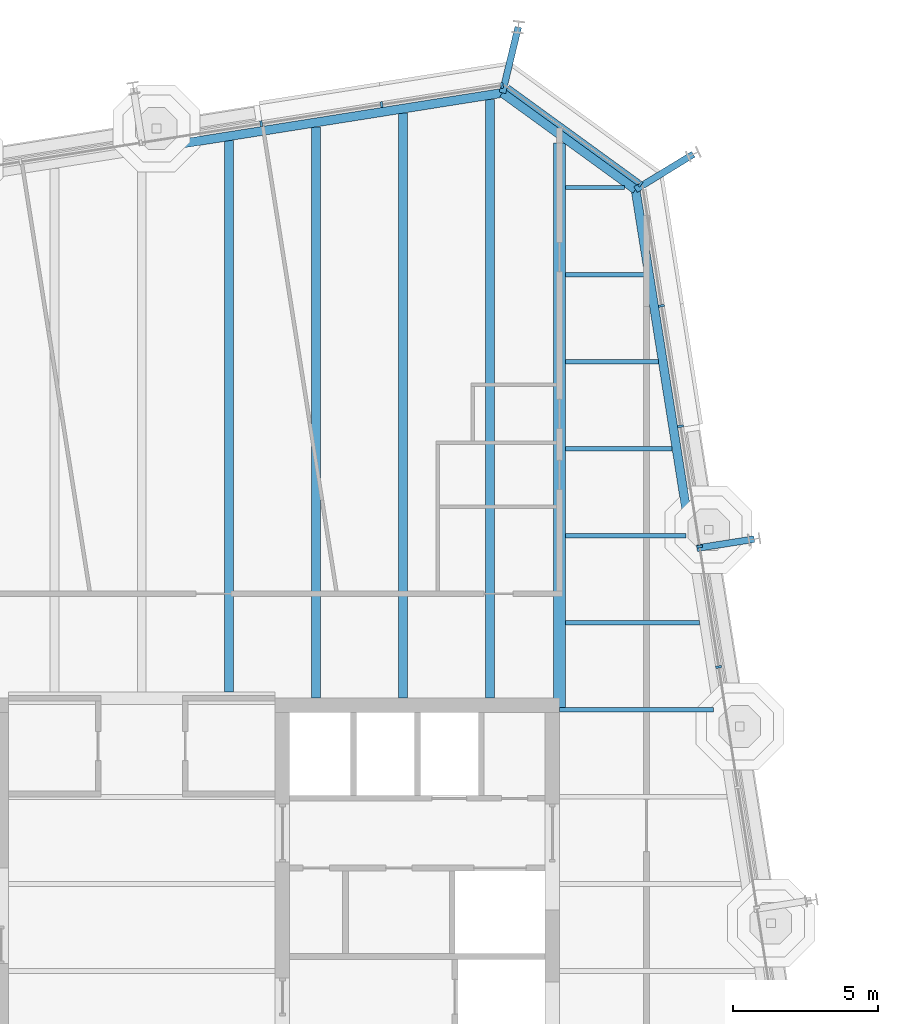
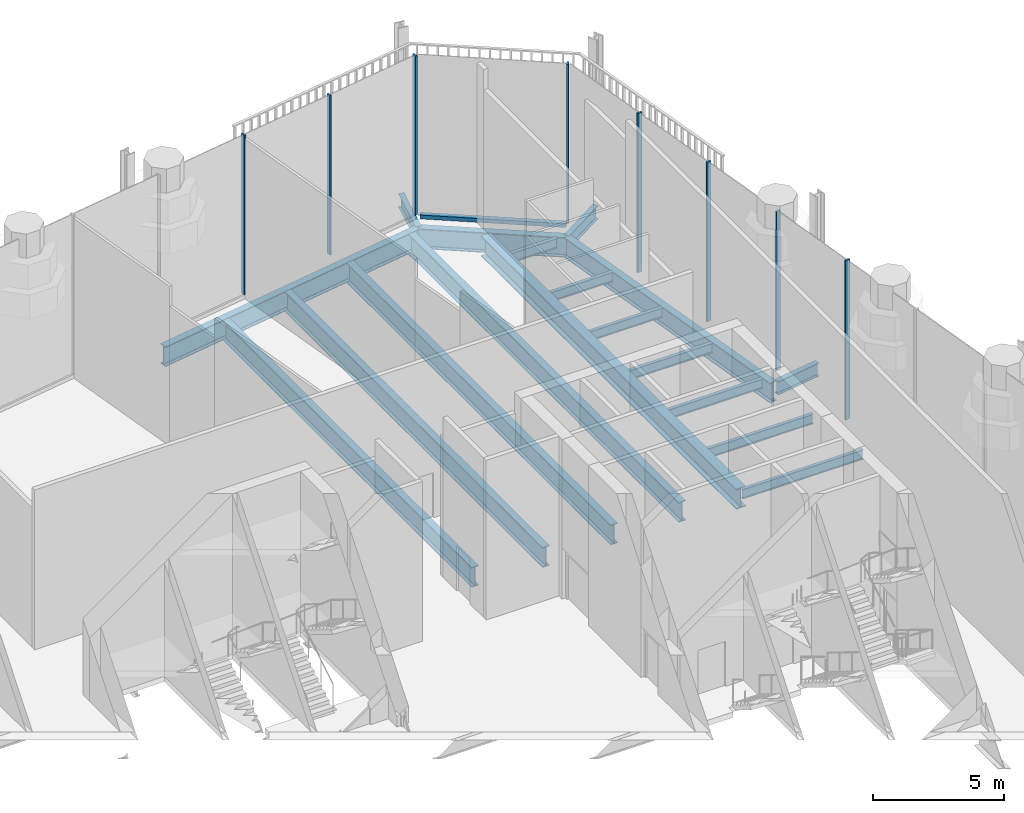
# One storey, part 9 of 17: 18 beams, 9 members, 3 elements without a shape of their own.
"""IFC4 building model written with IfcOpenShell, lengths in metres."""

from ifc_helpers import new_model, si_unit, direction, frame, origin, origin_2d, place, context, subcontext, project, spatial, rectangle, i_section, extrude, material, layer, layer_set, material_profile, profile_set, type_object, element, aggregate, save


model = new_model("IFC4")

# Units and contexts
model_context = context("Model", 3, precision=1e-05, world=origin(), true_north=direction((0.0, 1.0)))
body_context = subcontext(model_context, "Body", "Model", "MODEL_VIEW")
ifc_project = project(units=[si_unit("LENGTHUNIT", "METRE"), si_unit("AREAUNIT", "SQUARE_METRE"), si_unit("VOLUMEUNIT", "CUBIC_METRE"), si_unit("PLANEANGLEUNIT", "RADIAN"), si_unit("MASSUNIT", "GRAM", prefix="KILO")], contexts=[model_context])

# Site, building, storey
site_placement = place(None, origin())
site = spatial("IfcSite", under=ifc_project, at=site_placement, CompositionType="ELEMENT")
building_placement = place(site_placement, origin())
building = spatial("IfcBuilding", under=site, at=building_placement, Name="Millrace Tower", CompositionType="ELEMENT")
storey_placement = place(building_placement, frame((0.0, 0.0, 239.800048828125)))
storey = spatial("IfcBuildingStorey", under=building, at=storey_placement, Name="L55", CompositionType="ELEMENT", Elevation=239.800048828125)

# Curtain wall, members
ifc_material_1 = material(Name="Aluminium and glass", Category="aluminium")
ifc_layer = layer(ifc_material_1, 0.199951171875)
ifc_layer_set = layer_set([ifc_layer], Name="Aluminium and glass")
curtain_wall_type = type_object("IfcCurtainWallType", Name="CW-4 sky garden winter glazing", PredefinedType="NOTDEFINED", material=ifc_layer_set)
placement = place(storey_placement, origin())
curtain_wall_1 = element("IfcCurtainWall", 1, at=placement, inside=storey, type_object=curtain_wall_type, Name="Curtain wall D-F04 L55", PredefinedType="NOTDEFINED")
ifc_material_2 = material(Name="Aluminium", Category="aluminium")
ifc_material_profile_1 = material_profile(ifc_material_2, rectangle(XDim=0.080078125, YDim=0.199951171875, at=origin_2d()))
ifc_profile_set_1 = profile_set([ifc_material_profile_1], Name="Aluminium")
member_type_1 = type_object("IfcMemberType", Name="CW-4 sky garden winter glazing mullion", PredefinedType="MULLION", material=ifc_profile_set_1)
member_1_placement = place(storey_placement, frame((19.880859375, 10.477294921875, 0.179931640625), z_axis=(0.0, 0.0, 1.0), x_axis=(-0.156434471884, 0.987688339511, 0.0)))
member_1 = element("IfcMember", 2, at=member_1_placement, type_object=member_type_1, Name="CW4 mullion D-F04.6", PredefinedType="MULLION", context=body_context, shape_type="SweptSolid", body=[
    extrude(rectangle(XDim=0.080078125, YDim=0.199951171875, at=origin_2d()), origin(), (0.0, 0.0, 1.0), 7.419921875),
])
member_2_placement = place(storey_placement, frame((19.223876953125, 14.62548828125, 0.179931640625), z_axis=(0.0, 0.0, 1.0), x_axis=(-0.156434471884, 0.987688339511, 0.0)))
member_2 = element("IfcMember", 3, at=member_2_placement, type_object=member_type_1, Name="CW4 mullion D-F04.7", PredefinedType="MULLION", context=body_context, shape_type="SweptSolid", body=[
    extrude(rectangle(XDim=0.080078125, YDim=0.199951171875, at=origin_2d()), origin(), (0.0, 0.0, 1.0), 7.419921875),
])
member_3_placement = place(storey_placement, frame((18.56689453125, 18.77392578125, 0.179931640625), z_axis=(0.0, 0.0, 1.0), x_axis=(-0.156434471884, 0.987688339511, 0.0)))
member_3 = element("IfcMember", 4, at=member_3_placement, type_object=member_type_1, Name="CW4 mullion D-F04.8", PredefinedType="MULLION", context=body_context, shape_type="SweptSolid", body=[
    extrude(rectangle(XDim=0.080078125, YDim=0.199951171875, at=origin_2d()), origin(), (0.0, 0.0, 1.0), 7.419921875),
])
member_4_placement = place(storey_placement, frame((17.90966796875, 22.922119140625, 0.179931640625), z_axis=(0.0, 0.0, 1.0), x_axis=(-0.156434471884, 0.987688339511, 0.0)))
member_4 = element("IfcMember", 5, at=member_4_placement, type_object=member_type_1, Name="CW4 mullion D-F04.9", PredefinedType="MULLION", context=body_context, shape_type="SweptSolid", body=[
    extrude(rectangle(XDim=0.080078125, YDim=0.199951171875, at=origin_2d()), origin(), (0.0, 0.0, 1.0), 7.419921875),
])
aggregate(curtain_wall_1, [member_1, member_2, member_3, member_4])

# Curtain wall, member
curtain_wall_2 = element("IfcCurtainWall", 6, at=placement, inside=storey, type_object=curtain_wall_type, Name="Curtain wall D-F05 L55", PredefinedType="NOTDEFINED")
member_5_placement = place(storey_placement, frame((17.1865234375, 27.11962890625, 0.179931640625), z_axis=(0.0, 0.0, 1.0), x_axis=(-0.809016955361, 0.587785305991, 0.0)))
member_5 = element("IfcMember", 7, at=member_5_placement, type_object=member_type_1, Name="CW4 mullion D-F05.1", PredefinedType="MULLION", context=body_context, shape_type="SweptSolid", body=[
    extrude(rectangle(XDim=0.080078125, YDim=0.199951171875, at=origin_2d()), origin(), (0.0, 0.0, 1.0), 7.419921875),
])

# Curtain wall, members
curtain_wall_3 = element("IfcCurtainWall", 8, at=placement, inside=storey, type_object=curtain_wall_type, Name="Curtain wall D-F06 L55", PredefinedType="NOTDEFINED")
member_6_placement = place(storey_placement, frame((12.4140625, 30.515869140625, 0.179931640625), z_axis=(0.0, 0.0, 1.0), x_axis=(-0.987688339511, -0.156434471884, 0.0)))
member_6 = element("IfcMember", 9, at=member_6_placement, type_object=member_type_1, Name="CW4 mullion D-F06.1", PredefinedType="MULLION", context=body_context, shape_type="SweptSolid", body=[
    extrude(rectangle(XDim=0.080078125, YDim=0.199951171875, at=origin_2d()), origin(), (0.0, 0.0, 1.0), 7.419921875),
])
member_7_placement = place(storey_placement, frame((8.265869140625, 29.85888671875, 0.179931640625), z_axis=(0.0, 0.0, 1.0), x_axis=(-0.987688339511, -0.156434471884, 0.0)))
member_7 = element("IfcMember", 10, at=member_7_placement, type_object=member_type_1, Name="CW4 mullion D-F06.2", PredefinedType="MULLION", context=body_context, shape_type="SweptSolid", body=[
    extrude(rectangle(XDim=0.080078125, YDim=0.199951171875, at=origin_2d()), origin(), (0.0, 0.0, 1.0), 7.419921875),
])
member_8_placement = place(storey_placement, frame((4.11767578125, 29.201904296875, 0.179931640625), z_axis=(0.0, 0.0, 1.0), x_axis=(-0.987688339511, -0.156434471884, 0.0)))
member_8 = element("IfcMember", 11, at=member_8_placement, type_object=member_type_1, Name="CW4 mullion D-F06.3", PredefinedType="MULLION", context=body_context, shape_type="SweptSolid", body=[
    extrude(rectangle(XDim=0.080078125, YDim=0.199951171875, at=origin_2d()), origin(), (0.0, 0.0, 1.0), 7.419921875),
])
aggregate(curtain_wall_3, [member_6, member_7, member_8])

# Member
ifc_material_3 = material(Name="Aluminium", Category="aluminium")
ifc_material_profile_2 = material_profile(ifc_material_3, rectangle(XDim=0.199951171875, YDim=0.179931640625, at=origin_2d()))
ifc_profile_set_2 = profile_set([ifc_material_profile_2], Name="Aluminium")
member_type_2 = type_object("IfcMemberType", Name="CW-4 sky garden winter glazing transom", PredefinedType="USERDEFINED", material=ifc_profile_set_2)
member_9_placement = place(storey_placement, frame((17.13818359375, 27.155029296875, 0.08984375), z_axis=(-0.809033935994, 0.587761933448, 0.0), x_axis=(-0.587761933448, -0.809033935994, 0.0)))
member_9 = element("IfcMember", 12, at=member_9_placement, type_object=member_type_2, Name="CW4 transom D-F05.1", ObjectType="TRANSOM", PredefinedType="USERDEFINED", context=body_context, shape_type="SweptSolid", body=[
    extrude(rectangle(XDim=0.199951171875, YDim=0.179931640625, at=origin_2d()), origin(), (0.0, 0.0, 1.0), 5.598388671875),
])

aggregate(curtain_wall_2, [member_5, member_9])

# Beams
ifc_material_4 = material(Name="Steel ASTM A992 Grade 50", Category="steel")
ifc_material_profile_3 = material_profile(ifc_material_4, i_section(OverallWidth=0.15234375, OverallDepth=0.449462890625, WebThickness=0.007568359375, FlangeThickness=0.0107421875, FilletRadius=0.01025390625, at=origin_2d()))
ifc_profile_set_3 = profile_set([ifc_material_profile_3], Name="Steel ASTM A992 Grade 50")
beam_type_1 = type_object("IfcBeamType", Name="Floor beam W18x35", PredefinedType="JOIST", material=ifc_profile_set_3)
beam_1_placement = place(storey_placement, frame((14.39990234375, 9.0, -0.474853515625), z_axis=(1.0, 0.0, 0.0), x_axis=(0.0, 1.0, 0.0)))
element("IfcBeam", 13, at=beam_1_placement, inside=storey, type_object=beam_type_1, Name="BM-D-L55-S1-S024", PredefinedType="JOIST", context=body_context, shape_type="SweptSolid", body=[
    extrude(i_section(OverallWidth=0.15234375, OverallDepth=0.449462890625, WebThickness=0.007568359375, FlangeThickness=0.0107421875, FilletRadius=0.01025390625, at=origin_2d()), origin(), (0.0, 0.0, 1.0), 5.302490234375),
])
beam_2_placement = place(storey_placement, frame((14.609619140625, 12.0, -0.474853515625), z_axis=(1.0, 0.0, 0.0), x_axis=(0.0, 1.0, 0.0)))
element("IfcBeam", 14, at=beam_2_placement, inside=storey, type_object=beam_type_1, Name="BM-D-L55-S1-S026", PredefinedType="JOIST", context=body_context, shape_type="SweptSolid", body=[
    extrude(i_section(OverallWidth=0.15234375, OverallDepth=0.449462890625, WebThickness=0.007568359375, FlangeThickness=0.0107421875, FilletRadius=0.01025390625, at=origin_2d()), origin(), (0.0, 0.0, 1.0), 4.61767578125),
])
beam_3_placement = place(storey_placement, frame((14.609619140625, 15.0, -0.474853515625), z_axis=(1.0, 0.0, 0.0), x_axis=(0.0, 1.0, 0.0)))
element("IfcBeam", 15, at=beam_3_placement, inside=storey, type_object=beam_type_1, Name="BM-D-L55-S1-S028", PredefinedType="JOIST", context=body_context, shape_type="SweptSolid", body=[
    extrude(i_section(OverallWidth=0.15234375, OverallDepth=0.449462890625, WebThickness=0.007568359375, FlangeThickness=0.0107421875, FilletRadius=0.01025390625, at=origin_2d()), origin(), (0.0, 0.0, 1.0), 4.142578125),
])
beam_4_placement = place(storey_placement, frame((14.609619140625, 18.0, -0.474853515625), z_axis=(1.0, 0.0, 0.0), x_axis=(0.0, 1.0, 0.0)))
element("IfcBeam", 16, at=beam_4_placement, inside=storey, type_object=beam_type_1, Name="BM-D-L55-S1-S030", PredefinedType="JOIST", context=body_context, shape_type="SweptSolid", body=[
    extrude(i_section(OverallWidth=0.15234375, OverallDepth=0.449462890625, WebThickness=0.007568359375, FlangeThickness=0.0107421875, FilletRadius=0.01025390625, at=origin_2d()), origin(), (0.0, 0.0, 1.0), 3.667236328125),
])
beam_5_placement = place(storey_placement, frame((14.609619140625, 21.0, -0.474853515625), z_axis=(1.0, 0.0, 0.0), x_axis=(0.0, 1.0, 0.0)))
element("IfcBeam", 17, at=beam_5_placement, inside=storey, type_object=beam_type_1, Name="BM-D-L55-S1-S032", PredefinedType="JOIST", context=body_context, shape_type="SweptSolid", body=[
    extrude(i_section(OverallWidth=0.15234375, OverallDepth=0.449462890625, WebThickness=0.007568359375, FlangeThickness=0.0107421875, FilletRadius=0.01025390625, at=origin_2d()), origin(), (0.0, 0.0, 1.0), 3.192138671875),
])
beam_6_placement = place(storey_placement, frame((14.609619140625, 24.0, -0.474853515625), z_axis=(1.0, 0.0, 0.0), x_axis=(0.0, 1.0, 0.0)))
element("IfcBeam", 18, at=beam_6_placement, inside=storey, type_object=beam_type_1, Name="BM-D-L55-S1-S034", PredefinedType="JOIST", context=body_context, shape_type="SweptSolid", body=[
    extrude(i_section(OverallWidth=0.15234375, OverallDepth=0.449462890625, WebThickness=0.007568359375, FlangeThickness=0.0107421875, FilletRadius=0.01025390625, at=origin_2d()), origin(), (0.0, 0.0, 1.0), 2.717041015625),
])
beam_7_placement = place(storey_placement, frame((14.609619140625, 27.0, -0.474853515625), z_axis=(1.0, 0.0, 0.0), x_axis=(0.0, 1.0, 0.0)))
element("IfcBeam", 19, at=beam_7_placement, inside=storey, type_object=beam_type_1, Name="BM-D-L55-S1-S035", PredefinedType="JOIST", context=body_context, shape_type="SweptSolid", body=[
    extrude(i_section(OverallWidth=0.15234375, OverallDepth=0.449462890625, WebThickness=0.007568359375, FlangeThickness=0.0107421875, FilletRadius=0.01025390625, at=origin_2d()), origin(), (0.0, 0.0, 1.0), 2.020751953125),
])
ifc_material_5 = material(Name="Steel ASTM A992 Grade 50", Category="steel")
ifc_material_profile_4 = material_profile(ifc_material_5, i_section(OverallWidth=0.307373046875, OverallDepth=0.927001953125, WebThickness=0.01953125, FlangeThickness=0.031982421875, FilletRadius=0.01904296875, at=origin_2d()))
ifc_profile_set_4 = profile_set([ifc_material_profile_4], Name="Steel ASTM A992 Grade 50")
beam_type_2 = type_object("IfcBeamType", Name="Floor beam W36x194", PredefinedType="JOIST", material=ifc_profile_set_4)
beam_8_placement = place(storey_placement, frame((3.0, 9.609619140625, -0.713623046875), z_axis=(0.0, 1.0, 0.0), x_axis=(-1.0, 0.0, 0.0)))
element("IfcBeam", 20, at=beam_8_placement, inside=storey, type_object=beam_type_2, Name="BM-D-L55-S1-S046", PredefinedType="JOIST", context=body_context, shape_type="SweptSolid", body=[
    extrude(i_section(OverallWidth=0.307373046875, OverallDepth=0.927001953125, WebThickness=0.01953125, FlangeThickness=0.031982421875, FilletRadius=0.01904296875, at=origin_2d()), origin(), (0.0, 0.0, 1.0), 19.0029296875),
])
beam_9_placement = place(storey_placement, frame((6.0, 9.39990234375, -0.713623046875), z_axis=(0.0, 1.0, 0.0), x_axis=(-1.0, 0.0, 0.0)))
element("IfcBeam", 21, at=beam_9_placement, inside=storey, type_object=beam_type_2, Name="BM-D-L55-S1-S048", PredefinedType="JOIST", context=body_context, shape_type="SweptSolid", body=[
    extrude(i_section(OverallWidth=0.307373046875, OverallDepth=0.927001953125, WebThickness=0.01953125, FlangeThickness=0.031982421875, FilletRadius=0.01904296875, at=origin_2d()), origin(), (0.0, 0.0, 1.0), 19.687744140625),
])
beam_10_placement = place(storey_placement, frame((9.0, 9.39990234375, -0.713623046875), z_axis=(0.0, 1.0, 0.0), x_axis=(-1.0, 0.0, 0.0)))
element("IfcBeam", 22, at=beam_10_placement, inside=storey, type_object=beam_type_2, Name="BM-D-L55-S1-S050", PredefinedType="JOIST", context=body_context, shape_type="SweptSolid", body=[
    extrude(i_section(OverallWidth=0.307373046875, OverallDepth=0.927001953125, WebThickness=0.01953125, FlangeThickness=0.031982421875, FilletRadius=0.01904296875, at=origin_2d()), origin(), (0.0, 0.0, 1.0), 20.162841796875),
])
beam_11_placement = place(storey_placement, frame((12.0, 9.39990234375, -0.713623046875), z_axis=(0.0, 1.0, 0.0), x_axis=(-1.0, 0.0, 0.0)))
element("IfcBeam", 23, at=beam_11_placement, inside=storey, type_object=beam_type_2, Name="BM-D-L55-S1-S052", PredefinedType="JOIST", context=body_context, shape_type="SweptSolid", body=[
    extrude(i_section(OverallWidth=0.307373046875, OverallDepth=0.927001953125, WebThickness=0.01953125, FlangeThickness=0.031982421875, FilletRadius=0.01904296875, at=origin_2d()), origin(), (0.0, 0.0, 1.0), 20.637939453125),
])
ifc_material_6 = material(Name="Steel ASTM A992 Grade 50", Category="steel")
ifc_material_profile_5 = material_profile(ifc_material_6, i_section(OverallWidth=0.424072265625, OverallDepth=0.947509765625, WebThickness=0.02392578125, FlangeThickness=0.042724609375, FilletRadius=0.024169921875, at=origin_2d()))
ifc_profile_set_5 = profile_set([ifc_material_profile_5], Name="Steel ASTM A992 Grade 50")
beam_type_3 = type_object("IfcBeamType", Name="Girder medium span W36x302", PredefinedType="BEAM", material=ifc_profile_set_5)
beam_12_placement = place(storey_placement, frame((14.39990234375, 9.080078125, -0.723876953125), z_axis=(0.0, 1.0, 0.0), x_axis=(-1.0, 0.0, 0.0)))
element("IfcBeam", 24, at=beam_12_placement, inside=storey, type_object=beam_type_3, Name="BM-D-L55-S1-G056", PredefinedType="BEAM", context=body_context, shape_type="SweptSolid", body=[
    extrude(i_section(OverallWidth=0.424072265625, OverallDepth=0.947509765625, WebThickness=0.02392578125, FlangeThickness=0.042724609375, FilletRadius=0.024169921875, at=origin_2d()), origin(), (0.0, 0.0, 1.0), 19.460693359375),
])
ifc_material_7 = material(Name="Steel ASTM A992 Grade 50", Category="steel")
ifc_material_profile_6 = material_profile(ifc_material_7, i_section(OverallWidth=0.23046875, OverallDepth=0.6171875, WebThickness=0.01318359375, FlangeThickness=0.022216796875, FilletRadius=0.012939453125, at=origin_2d()))
ifc_profile_set_6 = profile_set([ifc_material_profile_6], Name="Steel ASTM A992 Grade 50")
beam_type_4 = type_object("IfcBeamType", Name="Link beam W24x94", PredefinedType="BEAM", material=ifc_profile_set_6)
beam_13_placement = place(storey_placement, frame((12.430419921875, 30.26171875, -0.55859375), z_axis=(0.233456138164, 0.972367333652, 0.0), x_axis=(-0.972367333652, 0.233456138164, 0.0)))
element("IfcBeam", 25, at=beam_13_placement, inside=storey, type_object=beam_type_4, Name="LNK-D-L55-S1-08", PredefinedType="BEAM", context=body_context, shape_type="SweptSolid", body=[
    extrude(i_section(OverallWidth=0.23046875, OverallDepth=0.6171875, WebThickness=0.01318359375, FlangeThickness=0.022216796875, FilletRadius=0.012939453125, at=origin_2d()), origin(), (0.0, 0.0, 1.0), 2.3310546875),
])
beam_14_placement = place(storey_placement, frame((17.018310546875, 26.928466796875, -0.55859375), z_axis=(0.852659946142, 0.5224662824, 0.0), x_axis=(-0.5224662824, 0.852659946142, 0.0)))
element("IfcBeam", 26, at=beam_14_placement, inside=storey, type_object=beam_type_4, Name="LNK-D-L55-S1-09", PredefinedType="BEAM", context=body_context, shape_type="SweptSolid", body=[
    extrude(i_section(OverallWidth=0.23046875, OverallDepth=0.6171875, WebThickness=0.01318359375, FlangeThickness=0.022216796875, FilletRadius=0.012939453125, at=origin_2d()), origin(), (0.0, 0.0, 1.0), 2.331298828125),
])
beam_15_placement = place(storey_placement, frame((19.13134765625, 14.5703125, -0.55859375), z_axis=(0.987678691416, 0.156495375404, 0.0), x_axis=(-0.156495375404, 0.987678691416, 0.0)))
element("IfcBeam", 27, at=beam_15_placement, inside=storey, type_object=beam_type_4, Name="LNK-D-L55-S1-10", PredefinedType="BEAM", context=body_context, shape_type="SweptSolid", body=[
    extrude(i_section(OverallWidth=0.23046875, OverallDepth=0.6171875, WebThickness=0.01318359375, FlangeThickness=0.022216796875, FilletRadius=0.012939453125, at=origin_2d()), origin(), (0.0, 0.0, 1.0), 2.0),
])
ifc_material_8 = material(Name="Steel ASTM A992 Grade 50", Category="steel")
ifc_material_profile_7 = material_profile(ifc_material_8, i_section(OverallWidth=0.307373046875, OverallDepth=0.927001953125, WebThickness=0.01953125, FlangeThickness=0.031982421875, FilletRadius=0.01904296875, at=origin_2d()))
ifc_profile_set_7 = profile_set([ifc_material_profile_7], Name="Steel ASTM A992 Grade 50")
beam_type_5 = type_object("IfcBeamType", Name="Ring beam medium span W36x194", PredefinedType="SPANDREL", material=ifc_profile_set_7)
beam_16_placement = place(storey_placement, frame((0.048583984375, 28.300537109375, -0.713623046875), z_axis=(0.987687213011, 0.156441584157, 0.0), x_axis=(-0.156441584157, 0.987687213011, 0.0)))
element("IfcBeam", 28, at=beam_16_placement, inside=storey, type_object=beam_type_5, Name="RNG-D-L55-S1-07", PredefinedType="SPANDREL", context=body_context, shape_type="SweptSolid", body=[
    extrude(i_section(OverallWidth=0.307373046875, OverallDepth=0.927001953125, WebThickness=0.01953125, FlangeThickness=0.031982421875, FilletRadius=0.01904296875, at=origin_2d()), origin(), (0.0, 0.0, 1.0), 12.5361328125),
])
beam_17_placement = place(storey_placement, frame((17.018310546875, 26.928466796875, -0.713623046875), z_axis=(0.156438575049, -0.987687689625, 0.0), x_axis=(0.987687689625, 0.156438575049, 0.0)))
element("IfcBeam", 29, at=beam_17_placement, inside=storey, type_object=beam_type_5, Name="RNG-D-L55-S1-09", PredefinedType="SPANDREL", context=body_context, shape_type="SweptSolid", body=[
    extrude(i_section(OverallWidth=0.307373046875, OverallDepth=0.927001953125, WebThickness=0.01953125, FlangeThickness=0.031982421875, FilletRadius=0.01904296875, at=origin_2d()), origin(), (0.0, 0.0, 1.0), 12.536376953125),
])
ifc_material_9 = material(Name="Steel ASTM A992 Grade 50", Category="steel")
ifc_material_profile_8 = material_profile(ifc_material_9, i_section(OverallWidth=0.307373046875, OverallDepth=0.927001953125, WebThickness=0.01953125, FlangeThickness=0.031982421875, FilletRadius=0.01904296875, at=origin_2d()))
ifc_profile_set_8 = profile_set([ifc_material_profile_8], Name="Steel ASTM A992 Grade 50")
beam_type_6 = type_object("IfcBeamType", Name="Ring beam short span W36x194", PredefinedType="SPANDREL", material=ifc_profile_set_8)
beam_18_placement = place(storey_placement, frame((12.430419921875, 30.26171875, -0.713623046875), z_axis=(0.80902082646, -0.587779977844, 0.0), x_axis=(0.587779977844, 0.80902082646, 0.0)))
element("IfcBeam", 30, at=beam_18_placement, inside=storey, type_object=beam_type_6, Name="RNG-D-L55-S1-08", PredefinedType="SPANDREL", context=body_context, shape_type="SweptSolid", body=[
    extrude(i_section(OverallWidth=0.307373046875, OverallDepth=0.927001953125, WebThickness=0.01953125, FlangeThickness=0.031982421875, FilletRadius=0.01904296875, at=origin_2d()), origin(), (0.0, 0.0, 1.0), 5.6708984375),
])

save(model, "model.ifc")
